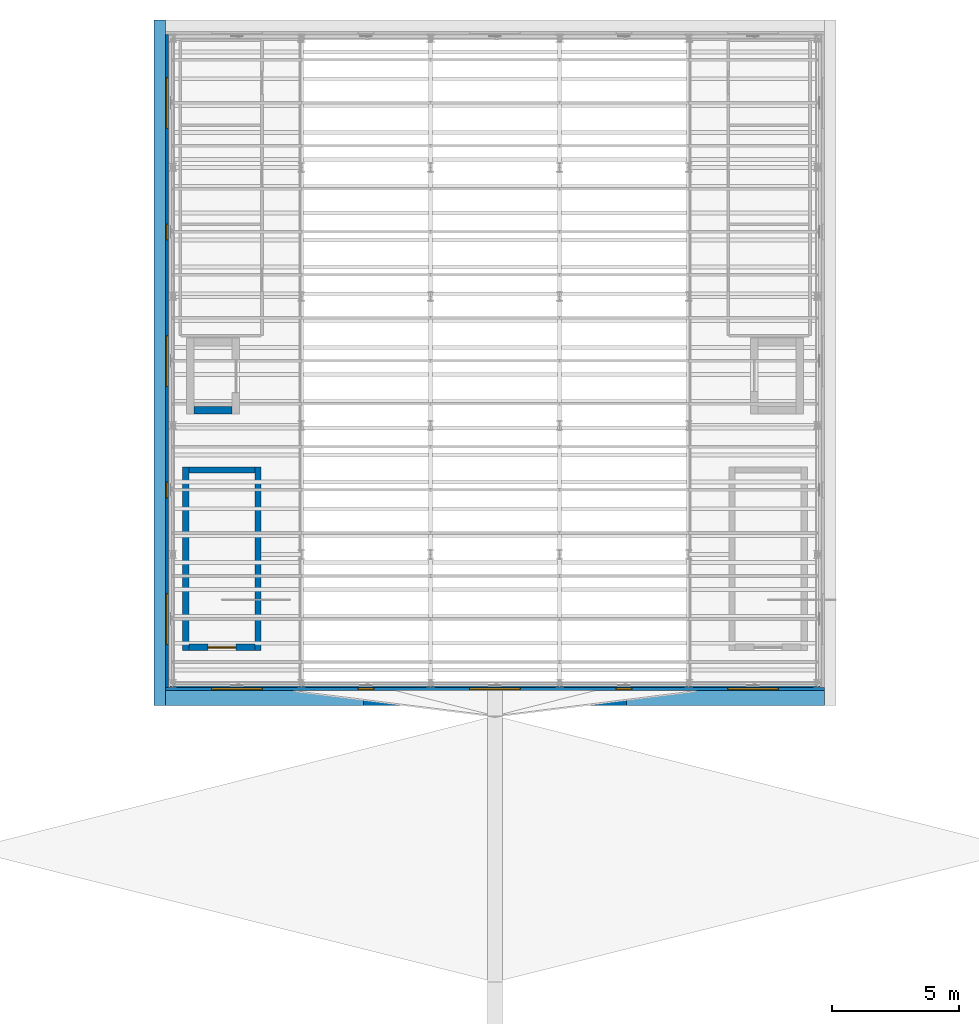
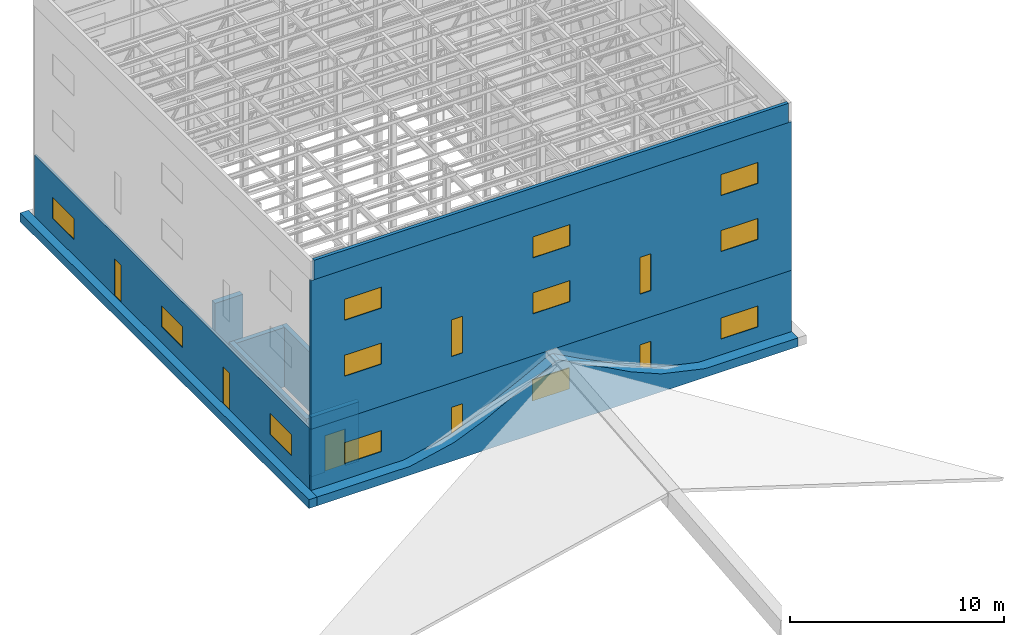
# One storey, part 18 of 22: 18 windows, 11 walls, 1 door, 19 openings.
"""IFC4 building model written with IfcOpenShell, lengths in metres."""

from ifc_helpers import new_model, si_unit, direction, frame, frame_2d, origin, place, context, subcontext, project, spatial, polyline, rectangle, outline, extrude, material, layer, layer_set, type_object, element, fill, save


model = new_model("IFC4")

# Units and contexts
model_context = context("Model", 3, precision=1e-05, world=origin(), true_north=direction((0.0, 1.0)))
body_context = subcontext(model_context, "Body", "Model", "MODEL_VIEW")
ifc_project = project(units=[si_unit("LENGTHUNIT", "METRE"), si_unit("AREAUNIT", "SQUARE_METRE"), si_unit("VOLUMEUNIT", "CUBIC_METRE"), si_unit("PLANEANGLEUNIT", "RADIAN"), si_unit("MASSUNIT", "GRAM", prefix="KILO")], contexts=[model_context])

# Site, building, storey
site_placement = place(None, origin())
site = spatial("IfcSite", under=ifc_project, at=site_placement, CompositionType="ELEMENT")
building_placement = place(site_placement, origin())
building = spatial("IfcBuilding", under=site, at=building_placement, Name="Tide Square Theatres", CompositionType="ELEMENT")
storey_placement = place(building_placement, frame((0.0, 0.0, 24.0)))
storey = spatial("IfcBuildingStorey", under=building, at=storey_placement, Name="L05", CompositionType="ELEMENT", Elevation=24.0)

# Wall, openings, windows
ifc_material_1 = material(Name="Insulated metal panel, galvanised steel faces ASTM A653 SS Grade 340", Category="steel")
ifc_layer_1 = layer(ifc_material_1, 0.1201171875)
ifc_layer_set_1 = layer_set([ifc_layer_1], Name="Insulated metal panel, galvanised steel faces ASTM A653 SS Grade 340")
wall_type_1 = type_object("IfcWallType", Name="Insulated cladding wall 120 thick", PredefinedType="STANDARD", material=ifc_layer_set_1)
wall_1_placement = place(storey_placement, frame((71.06005859375, 56.1201171875, 0.0), z_axis=(0.0, 0.0, 1.0), x_axis=(0.0, 1.0, 0.0)))
wall_1 = element("IfcWall", 1, at=wall_1_placement, inside=storey, type_object=wall_type_1, Name="Fly tower upper cladding wall", PredefinedType="STANDARD", context=body_context, shape_type="SweptSolid", body=[
    extrude(rectangle(XDim=25.759765625, YDim=0.1201171875, at=frame_2d((12.8798828125, 0.0))), origin(), (0.0, 0.0, 1.0), 4.0),
])
opening_1_placement = place(wall_1_placement, frame((1.70068359375, 0.0, 1.39990234375)))
opening_1 = element("IfcOpeningElement", 2, at=opening_1_placement, cuts=wall_1, Name="Opening WN-23", PredefinedType="OPENING", context=body_context, shape_type="SweptSolid", body=[
    extrude(rectangle(XDim=2.0, YDim=1.199951171875, at=frame_2d((1.0, 0.60009765625))), frame((0.0, 0.070068359375, 0.0), z_axis=(0.0, -1.0, 0.0), x_axis=(1.0, 0.0, 0.0)), (0.0, 0.0, 1.0), 0.14013671875),
])
opening_2_placement = place(wall_1_placement, frame((11.8798828125, 0.0, 1.39990234375)))
opening_2 = element("IfcOpeningElement", 3, at=opening_2_placement, cuts=wall_1, Name="Opening WN-23", PredefinedType="OPENING", context=body_context, shape_type="SweptSolid", body=[
    extrude(rectangle(XDim=2.0, YDim=1.199951171875, at=frame_2d((1.0, 0.60009765625))), frame((0.0, 0.070068359375, 0.0), z_axis=(0.0, -1.0, 0.0), x_axis=(1.0, 0.0, 0.0)), (0.0, 0.0, 1.0), 0.14013671875),
])
opening_3_placement = place(wall_1_placement, frame((22.05908203125, 0.0, 1.39990234375)))
opening_3 = element("IfcOpeningElement", 4, at=opening_3_placement, cuts=wall_1, Name="Opening WN-23", PredefinedType="OPENING", context=body_context, shape_type="SweptSolid", body=[
    extrude(rectangle(XDim=2.0, YDim=1.199951171875, at=frame_2d((1.0, 0.60009765625))), frame((0.0, 0.070068359375, 0.0), z_axis=(0.0, -1.0, 0.0), x_axis=(1.0, 0.0, 0.0)), (0.0, 0.0, 1.0), 0.14013671875),
])
opening_4_placement = place(wall_1_placement, frame((7.490478515625, 0.0, 0.5)))
opening_4 = element("IfcOpeningElement", 5, at=opening_4_placement, cuts=wall_1, Name="Opening WN-11", PredefinedType="OPENING", context=body_context, shape_type="SweptSolid", body=[
    extrude(rectangle(XDim=0.60009765625, YDim=2.10009765625, at=frame_2d((0.300048828125, 1.050048828125))), frame((0.0, 0.070068359375, 0.0), z_axis=(0.0, -1.0, 0.0), x_axis=(1.0, 0.0, 0.0)), (0.0, 0.0, 1.0), 0.14013671875),
])
opening_5_placement = place(wall_1_placement, frame((17.669677734375, 0.0, 0.5)))
opening_5 = element("IfcOpeningElement", 6, at=opening_5_placement, cuts=wall_1, Name="Opening WN-11", PredefinedType="OPENING", context=body_context, shape_type="SweptSolid", body=[
    extrude(rectangle(XDim=0.60009765625, YDim=2.10009765625, at=frame_2d((0.300048828125, 1.050048828125))), frame((0.0, 0.070068359375, 0.0), z_axis=(0.0, -1.0, 0.0), x_axis=(1.0, 0.0, 0.0)), (0.0, 0.0, 1.0), 0.14013671875),
])
ifc_material_2 = material(Name="Aluminium with laminated glass", Category="aluminium")
window_type_1 = type_object("IfcWindowType", Name="Window 2000 x 1200", PartitioningType="DOUBLE_PANEL_VERTICAL", PredefinedType="WINDOW", material=ifc_material_2)
window_1_placement = place(opening_1_placement, origin())
window_1 = element("IfcWindow", 7, at=window_1_placement, inside=storey, type_object=window_type_1, Name="Fly tower louvre", OverallHeight=1.199951171875, OverallWidth=2.0, PartitioningType="SINGLE_PANEL", PredefinedType="WINDOW", context=body_context, shape_type="SweptSolid", body=[
    extrude(rectangle(XDim=2.0, YDim=1.199951171875, at=frame_2d((1.0, 0.60009765625))), frame((0.0, 0.030029296875, 0.0), z_axis=(0.0, -1.0, 0.0), x_axis=(1.0, 0.0, 0.0)), (0.0, 0.0, 1.0), 0.06005859375),
])
fill(opening_1, window_1)
window_2_placement = place(opening_2_placement, origin())
window_2 = element("IfcWindow", 8, at=window_2_placement, inside=storey, type_object=window_type_1, Name="Fly tower louvre", OverallHeight=1.199951171875, OverallWidth=2.0, PartitioningType="SINGLE_PANEL", PredefinedType="WINDOW", context=body_context, shape_type="SweptSolid", body=[
    extrude(rectangle(XDim=2.0, YDim=1.199951171875, at=frame_2d((1.0, 0.60009765625))), frame((0.0, 0.030029296875, 0.0), z_axis=(0.0, -1.0, 0.0), x_axis=(1.0, 0.0, 0.0)), (0.0, 0.0, 1.0), 0.06005859375),
])
fill(opening_2, window_2)
window_3_placement = place(opening_3_placement, origin())
window_3 = element("IfcWindow", 9, at=window_3_placement, inside=storey, type_object=window_type_1, Name="Fly tower louvre", OverallHeight=1.199951171875, OverallWidth=2.0, PartitioningType="SINGLE_PANEL", PredefinedType="WINDOW", context=body_context, shape_type="SweptSolid", body=[
    extrude(rectangle(XDim=2.0, YDim=1.199951171875, at=frame_2d((1.0, 0.60009765625))), frame((0.0, 0.030029296875, 0.0), z_axis=(0.0, -1.0, 0.0), x_axis=(1.0, 0.0, 0.0)), (0.0, 0.0, 1.0), 0.06005859375),
])
fill(opening_3, window_3)
ifc_material_3 = material(Name="Aluminium with laminated glass", Category="aluminium")
window_type_2 = type_object("IfcWindowType", Name="Window 600 x 2100", PartitioningType="SINGLE_PANEL", PredefinedType="WINDOW", material=ifc_material_3)
window_4_placement = place(opening_4_placement, origin())
window_4 = element("IfcWindow", 10, at=window_4_placement, inside=storey, type_object=window_type_2, Name="Fly tower vent slot", OverallHeight=2.10009765625, OverallWidth=0.60009765625, PartitioningType="SINGLE_PANEL", PredefinedType="WINDOW", context=body_context, shape_type="SweptSolid", body=[
    extrude(rectangle(XDim=0.60009765625, YDim=2.10009765625, at=frame_2d((0.300048828125, 1.050048828125))), frame((0.0, 0.030029296875, 0.0), z_axis=(0.0, -1.0, 0.0), x_axis=(1.0, 0.0, 0.0)), (0.0, 0.0, 1.0), 0.06005859375),
])
fill(opening_4, window_4)
window_5_placement = place(opening_5_placement, origin())
window_5 = element("IfcWindow", 11, at=window_5_placement, inside=storey, type_object=window_type_2, Name="Fly tower vent slot", OverallHeight=2.10009765625, OverallWidth=0.60009765625, PartitioningType="SINGLE_PANEL", PredefinedType="WINDOW", context=body_context, shape_type="SweptSolid", body=[
    extrude(rectangle(XDim=0.60009765625, YDim=2.10009765625, at=frame_2d((0.300048828125, 1.050048828125))), frame((0.0, 0.030029296875, 0.0), z_axis=(0.0, -1.0, 0.0), x_axis=(1.0, 0.0, 0.0)), (0.0, 0.0, 1.0), 0.06005859375),
])
fill(opening_5, window_5)

wall_2_placement = place(storey_placement, frame((71.0, 56.06005859375, 0.0), z_axis=(0.0, 0.0, 1.0), x_axis=(1.0, 0.0, 0.0)))
wall_2 = element("IfcWall", 12, at=wall_2_placement, inside=storey, type_object=wall_type_1, Name="Fly tower upper cladding wall", PredefinedType="STANDARD", context=body_context, shape_type="SweptSolid", body=[
    extrude(rectangle(XDim=26.0, YDim=0.1201171875, at=frame_2d((13.0, 0.0))), origin(), (0.0, 0.0, 1.0), 4.0),
])
opening_6_placement = place(wall_2_placement, frame((1.82080078125, 0.0, 1.39990234375)))
opening_6 = element("IfcOpeningElement", 13, at=opening_6_placement, cuts=wall_2, Name="Opening WN-23", PredefinedType="OPENING", context=body_context, shape_type="SweptSolid", body=[
    extrude(rectangle(XDim=2.0, YDim=1.199951171875, at=frame_2d((1.0, 0.60009765625))), frame((0.0, 0.070068359375, 0.0), z_axis=(0.0, -1.0, 0.0), x_axis=(1.0, 0.0, 0.0)), (0.0, 0.0, 1.0), 0.14013671875),
])
opening_7_placement = place(wall_2_placement, frame((12.0, 0.0, 1.39990234375)))
opening_7 = element("IfcOpeningElement", 14, at=opening_7_placement, cuts=wall_2, Name="Opening WN-23", PredefinedType="OPENING", context=body_context, shape_type="SweptSolid", body=[
    extrude(rectangle(XDim=2.0, YDim=1.199951171875, at=frame_2d((1.0, 0.60009765625))), frame((0.0, 0.070068359375, 0.0), z_axis=(0.0, -1.0, 0.0), x_axis=(1.0, 0.0, 0.0)), (0.0, 0.0, 1.0), 0.14013671875),
])
opening_8_placement = place(wall_2_placement, frame((22.17919921875, 0.0, 1.39990234375)))
opening_8 = element("IfcOpeningElement", 15, at=opening_8_placement, cuts=wall_2, Name="Opening WN-23", PredefinedType="OPENING", context=body_context, shape_type="SweptSolid", body=[
    extrude(rectangle(XDim=2.0, YDim=1.199951171875, at=frame_2d((1.0, 0.60009765625))), frame((0.0, 0.070068359375, 0.0), z_axis=(0.0, -1.0, 0.0), x_axis=(1.0, 0.0, 0.0)), (0.0, 0.0, 1.0), 0.14013671875),
])
opening_9_placement = place(wall_2_placement, frame((7.6103515625, 0.0, 0.5)))
opening_9 = element("IfcOpeningElement", 16, at=opening_9_placement, cuts=wall_2, Name="Opening WN-11", PredefinedType="OPENING", context=body_context, shape_type="SweptSolid", body=[
    extrude(rectangle(XDim=0.60009765625, YDim=2.10009765625, at=frame_2d((0.300048828125, 1.050048828125))), frame((0.0, 0.070068359375, 0.0), z_axis=(0.0, -1.0, 0.0), x_axis=(1.0, 0.0, 0.0)), (0.0, 0.0, 1.0), 0.14013671875),
])
opening_10_placement = place(wall_2_placement, frame((17.78955078125, 0.0, 0.5)))
opening_10 = element("IfcOpeningElement", 17, at=opening_10_placement, cuts=wall_2, Name="Opening WN-11", PredefinedType="OPENING", context=body_context, shape_type="SweptSolid", body=[
    extrude(rectangle(XDim=0.60009765625, YDim=2.10009765625, at=frame_2d((0.300048828125, 1.050048828125))), frame((0.0, 0.070068359375, 0.0), z_axis=(0.0, -1.0, 0.0), x_axis=(1.0, 0.0, 0.0)), (0.0, 0.0, 1.0), 0.14013671875),
])
window_6_placement = place(opening_6_placement, origin())
window_6 = element("IfcWindow", 18, at=window_6_placement, inside=storey, type_object=window_type_1, Name="Fly tower louvre", OverallHeight=1.199951171875, OverallWidth=2.0, PartitioningType="SINGLE_PANEL", PredefinedType="WINDOW", context=body_context, shape_type="SweptSolid", body=[
    extrude(rectangle(XDim=2.0, YDim=1.199951171875, at=frame_2d((1.0, 0.60009765625))), frame((0.0, 0.030029296875, 0.0), z_axis=(0.0, -1.0, 0.0), x_axis=(1.0, 0.0, 0.0)), (0.0, 0.0, 1.0), 0.06005859375),
])
fill(opening_6, window_6)
window_7_placement = place(opening_7_placement, origin())
window_7 = element("IfcWindow", 19, at=window_7_placement, inside=storey, type_object=window_type_1, Name="Fly tower louvre", OverallHeight=1.199951171875, OverallWidth=2.0, PartitioningType="SINGLE_PANEL", PredefinedType="WINDOW", context=body_context, shape_type="SweptSolid", body=[
    extrude(rectangle(XDim=2.0, YDim=1.199951171875, at=frame_2d((1.0, 0.60009765625))), frame((0.0, 0.030029296875, 0.0), z_axis=(0.0, -1.0, 0.0), x_axis=(1.0, 0.0, 0.0)), (0.0, 0.0, 1.0), 0.06005859375),
])
fill(opening_7, window_7)
window_8_placement = place(opening_8_placement, origin())
window_8 = element("IfcWindow", 20, at=window_8_placement, inside=storey, type_object=window_type_1, Name="Fly tower louvre", OverallHeight=1.199951171875, OverallWidth=2.0, PartitioningType="SINGLE_PANEL", PredefinedType="WINDOW", context=body_context, shape_type="SweptSolid", body=[
    extrude(rectangle(XDim=2.0, YDim=1.199951171875, at=frame_2d((1.0, 0.60009765625))), frame((0.0, 0.030029296875, 0.0), z_axis=(0.0, -1.0, 0.0), x_axis=(1.0, 0.0, 0.0)), (0.0, 0.0, 1.0), 0.06005859375),
])
fill(opening_8, window_8)
window_9_placement = place(opening_9_placement, origin())
window_9 = element("IfcWindow", 21, at=window_9_placement, inside=storey, type_object=window_type_2, Name="Fly tower vent slot", OverallHeight=2.10009765625, OverallWidth=0.60009765625, PartitioningType="SINGLE_PANEL", PredefinedType="WINDOW", context=body_context, shape_type="SweptSolid", body=[
    extrude(rectangle(XDim=0.60009765625, YDim=2.10009765625, at=frame_2d((0.300048828125, 1.050048828125))), frame((0.0, 0.030029296875, 0.0), z_axis=(0.0, -1.0, 0.0), x_axis=(1.0, 0.0, 0.0)), (0.0, 0.0, 1.0), 0.06005859375),
])
fill(opening_9, window_9)
window_10_placement = place(opening_10_placement, origin())
window_10 = element("IfcWindow", 22, at=window_10_placement, inside=storey, type_object=window_type_2, Name="Fly tower vent slot", OverallHeight=2.10009765625, OverallWidth=0.60009765625, PartitioningType="SINGLE_PANEL", PredefinedType="WINDOW", context=body_context, shape_type="SweptSolid", body=[
    extrude(rectangle(XDim=0.60009765625, YDim=2.10009765625, at=frame_2d((0.300048828125, 1.050048828125))), frame((0.0, 0.030029296875, 0.0), z_axis=(0.0, -1.0, 0.0), x_axis=(1.0, 0.0, 0.0)), (0.0, 0.0, 1.0), 0.06005859375),
])
fill(opening_10, window_10)

wall_3_placement = place(storey_placement, frame((71.0, 56.06005859375, 4.0), z_axis=(0.0, 0.0, 1.0), x_axis=(1.0, 0.0, 0.0)))
wall_3 = element("IfcWall", 23, at=wall_3_placement, inside=storey, type_object=wall_type_1, Name="Fly tower crown cladding wall", PredefinedType="STANDARD", context=body_context, shape_type="SweptSolid", body=[
    extrude(rectangle(XDim=26.0, YDim=0.1201171875, at=frame_2d((13.0, 0.0))), origin(), (0.0, 0.0, 1.0), 8.5),
])
opening_11_placement = place(wall_3_placement, frame((1.82080078125, 0.0, 2.39990234375)))
opening_11 = element("IfcOpeningElement", 24, at=opening_11_placement, cuts=wall_3, Name="Opening WN-23", PredefinedType="OPENING", context=body_context, shape_type="SweptSolid", body=[
    extrude(rectangle(XDim=2.0, YDim=1.199951171875, at=frame_2d((1.0, 0.60009765625))), frame((0.0, 0.070068359375, 0.0), z_axis=(0.0, -1.0, 0.0), x_axis=(1.0, 0.0, 0.0)), (0.0, 0.0, 1.0), 0.14013671875),
])
opening_12_placement = place(wall_3_placement, frame((1.82080078125, 0.0, 5.60009765625)))
opening_12 = element("IfcOpeningElement", 25, at=opening_12_placement, cuts=wall_3, Name="Opening WN-23", PredefinedType="OPENING", context=body_context, shape_type="SweptSolid", body=[
    extrude(rectangle(XDim=2.0, YDim=1.199951171875, at=frame_2d((1.0, 0.60009765625))), frame((0.0, 0.070068359375, 0.0), z_axis=(0.0, -1.0, 0.0), x_axis=(1.0, 0.0, 0.0)), (0.0, 0.0, 1.0), 0.14013671875),
])
opening_13_placement = place(wall_3_placement, frame((12.0, 0.0, 2.39990234375)))
opening_13 = element("IfcOpeningElement", 26, at=opening_13_placement, cuts=wall_3, Name="Opening WN-23", PredefinedType="OPENING", context=body_context, shape_type="SweptSolid", body=[
    extrude(rectangle(XDim=2.0, YDim=1.199951171875, at=frame_2d((1.0, 0.60009765625))), frame((0.0, 0.070068359375, 0.0), z_axis=(0.0, -1.0, 0.0), x_axis=(1.0, 0.0, 0.0)), (0.0, 0.0, 1.0), 0.14013671875),
])
opening_14_placement = place(wall_3_placement, frame((12.0, 0.0, 5.60009765625)))
opening_14 = element("IfcOpeningElement", 27, at=opening_14_placement, cuts=wall_3, Name="Opening WN-23", PredefinedType="OPENING", context=body_context, shape_type="SweptSolid", body=[
    extrude(rectangle(XDim=2.0, YDim=1.199951171875, at=frame_2d((1.0, 0.60009765625))), frame((0.0, 0.070068359375, 0.0), z_axis=(0.0, -1.0, 0.0), x_axis=(1.0, 0.0, 0.0)), (0.0, 0.0, 1.0), 0.14013671875),
])
opening_15_placement = place(wall_3_placement, frame((22.17919921875, 0.0, 2.39990234375)))
opening_15 = element("IfcOpeningElement", 28, at=opening_15_placement, cuts=wall_3, Name="Opening WN-23", PredefinedType="OPENING", context=body_context, shape_type="SweptSolid", body=[
    extrude(rectangle(XDim=2.0, YDim=1.199951171875, at=frame_2d((1.0, 0.60009765625))), frame((0.0, 0.070068359375, 0.0), z_axis=(0.0, -1.0, 0.0), x_axis=(1.0, 0.0, 0.0)), (0.0, 0.0, 1.0), 0.14013671875),
])
opening_16_placement = place(wall_3_placement, frame((22.17919921875, 0.0, 5.60009765625)))
opening_16 = element("IfcOpeningElement", 29, at=opening_16_placement, cuts=wall_3, Name="Opening WN-23", PredefinedType="OPENING", context=body_context, shape_type="SweptSolid", body=[
    extrude(rectangle(XDim=2.0, YDim=1.199951171875, at=frame_2d((1.0, 0.60009765625))), frame((0.0, 0.070068359375, 0.0), z_axis=(0.0, -1.0, 0.0), x_axis=(1.0, 0.0, 0.0)), (0.0, 0.0, 1.0), 0.14013671875),
])
opening_17_placement = place(wall_3_placement, frame((7.6103515625, 0.0, 1.5)))
opening_17 = element("IfcOpeningElement", 30, at=opening_17_placement, cuts=wall_3, Name="Opening WN-11", PredefinedType="OPENING", context=body_context, shape_type="SweptSolid", body=[
    extrude(rectangle(XDim=0.60009765625, YDim=2.10009765625, at=frame_2d((0.300048828125, 1.050048828125))), frame((0.0, 0.070068359375, 0.0), z_axis=(0.0, -1.0, 0.0), x_axis=(1.0, 0.0, 0.0)), (0.0, 0.0, 1.0), 0.14013671875),
])
opening_18_placement = place(wall_3_placement, frame((17.78955078125, 0.0, 1.5)))
opening_18 = element("IfcOpeningElement", 31, at=opening_18_placement, cuts=wall_3, Name="Opening WN-11", PredefinedType="OPENING", context=body_context, shape_type="SweptSolid", body=[
    extrude(rectangle(XDim=0.60009765625, YDim=2.10009765625, at=frame_2d((0.300048828125, 1.050048828125))), frame((0.0, 0.070068359375, 0.0), z_axis=(0.0, -1.0, 0.0), x_axis=(1.0, 0.0, 0.0)), (0.0, 0.0, 1.0), 0.14013671875),
])
window_11_placement = place(opening_11_placement, origin())
window_11 = element("IfcWindow", 32, at=window_11_placement, inside=storey, type_object=window_type_1, Name="Fly tower louvre", OverallHeight=1.199951171875, OverallWidth=2.0, PartitioningType="SINGLE_PANEL", PredefinedType="WINDOW", context=body_context, shape_type="SweptSolid", body=[
    extrude(rectangle(XDim=2.0, YDim=1.199951171875, at=frame_2d((1.0, 0.60009765625))), frame((0.0, 0.030029296875, 0.0), z_axis=(0.0, -1.0, 0.0), x_axis=(1.0, 0.0, 0.0)), (0.0, 0.0, 1.0), 0.06005859375),
])
fill(opening_11, window_11)
window_12_placement = place(opening_12_placement, origin())
window_12 = element("IfcWindow", 33, at=window_12_placement, inside=storey, type_object=window_type_1, Name="Fly tower louvre", OverallHeight=1.199951171875, OverallWidth=2.0, PartitioningType="SINGLE_PANEL", PredefinedType="WINDOW", context=body_context, shape_type="SweptSolid", body=[
    extrude(rectangle(XDim=2.0, YDim=1.199951171875, at=frame_2d((1.0, 0.60009765625))), frame((0.0, 0.030029296875, 0.0), z_axis=(0.0, -1.0, 0.0), x_axis=(1.0, 0.0, 0.0)), (0.0, 0.0, 1.0), 0.06005859375),
])
fill(opening_12, window_12)
window_13_placement = place(opening_13_placement, origin())
window_13 = element("IfcWindow", 34, at=window_13_placement, inside=storey, type_object=window_type_1, Name="Fly tower louvre", OverallHeight=1.199951171875, OverallWidth=2.0, PartitioningType="SINGLE_PANEL", PredefinedType="WINDOW", context=body_context, shape_type="SweptSolid", body=[
    extrude(rectangle(XDim=2.0, YDim=1.199951171875, at=frame_2d((1.0, 0.60009765625))), frame((0.0, 0.030029296875, 0.0), z_axis=(0.0, -1.0, 0.0), x_axis=(1.0, 0.0, 0.0)), (0.0, 0.0, 1.0), 0.06005859375),
])
fill(opening_13, window_13)
window_14_placement = place(opening_14_placement, origin())
window_14 = element("IfcWindow", 35, at=window_14_placement, inside=storey, type_object=window_type_1, Name="Fly tower louvre", OverallHeight=1.199951171875, OverallWidth=2.0, PartitioningType="SINGLE_PANEL", PredefinedType="WINDOW", context=body_context, shape_type="SweptSolid", body=[
    extrude(rectangle(XDim=2.0, YDim=1.199951171875, at=frame_2d((1.0, 0.60009765625))), frame((0.0, 0.030029296875, 0.0), z_axis=(0.0, -1.0, 0.0), x_axis=(1.0, 0.0, 0.0)), (0.0, 0.0, 1.0), 0.06005859375),
])
fill(opening_14, window_14)
window_15_placement = place(opening_15_placement, origin())
window_15 = element("IfcWindow", 36, at=window_15_placement, inside=storey, type_object=window_type_1, Name="Fly tower louvre", OverallHeight=1.199951171875, OverallWidth=2.0, PartitioningType="SINGLE_PANEL", PredefinedType="WINDOW", context=body_context, shape_type="SweptSolid", body=[
    extrude(rectangle(XDim=2.0, YDim=1.199951171875, at=frame_2d((1.0, 0.60009765625))), frame((0.0, 0.030029296875, 0.0), z_axis=(0.0, -1.0, 0.0), x_axis=(1.0, 0.0, 0.0)), (0.0, 0.0, 1.0), 0.06005859375),
])
fill(opening_15, window_15)
window_16_placement = place(opening_16_placement, origin())
window_16 = element("IfcWindow", 37, at=window_16_placement, inside=storey, type_object=window_type_1, Name="Fly tower louvre", OverallHeight=1.199951171875, OverallWidth=2.0, PartitioningType="SINGLE_PANEL", PredefinedType="WINDOW", context=body_context, shape_type="SweptSolid", body=[
    extrude(rectangle(XDim=2.0, YDim=1.199951171875, at=frame_2d((1.0, 0.60009765625))), frame((0.0, 0.030029296875, 0.0), z_axis=(0.0, -1.0, 0.0), x_axis=(1.0, 0.0, 0.0)), (0.0, 0.0, 1.0), 0.06005859375),
])
fill(opening_16, window_16)
window_17_placement = place(opening_17_placement, origin())
window_17 = element("IfcWindow", 38, at=window_17_placement, inside=storey, type_object=window_type_2, Name="Fly tower vent slot", OverallHeight=2.10009765625, OverallWidth=0.60009765625, PartitioningType="SINGLE_PANEL", PredefinedType="WINDOW", context=body_context, shape_type="SweptSolid", body=[
    extrude(rectangle(XDim=0.60009765625, YDim=2.10009765625, at=frame_2d((0.300048828125, 1.050048828125))), frame((0.0, 0.030029296875, 0.0), z_axis=(0.0, -1.0, 0.0), x_axis=(1.0, 0.0, 0.0)), (0.0, 0.0, 1.0), 0.06005859375),
])
fill(opening_17, window_17)
window_18_placement = place(opening_18_placement, origin())
window_18 = element("IfcWindow", 39, at=window_18_placement, inside=storey, type_object=window_type_2, Name="Fly tower vent slot", OverallHeight=2.10009765625, OverallWidth=0.60009765625, PartitioningType="SINGLE_PANEL", PredefinedType="WINDOW", context=body_context, shape_type="SweptSolid", body=[
    extrude(rectangle(XDim=0.60009765625, YDim=2.10009765625, at=frame_2d((0.300048828125, 1.050048828125))), frame((0.0, 0.030029296875, 0.0), z_axis=(0.0, -1.0, 0.0), x_axis=(1.0, 0.0, 0.0)), (0.0, 0.0, 1.0), 0.06005859375),
])
fill(opening_18, window_18)

# Walls
ifc_material_4 = material(Name="Concrete C40", Category="concrete")
ifc_layer_2 = layer(ifc_material_4, 0.449951171875)
ifc_layer_set_2 = layer_set([ifc_layer_2], Name="Concrete C40")
wall_type_2 = type_object("IfcWallType", Name="RC curved wall 450 thick", PredefinedType="SOLIDWALL", material=ifc_layer_set_2)
wall_4_placement = place(storey_placement, frame((70.77490234375, 55.39990234375, 0.0), z_axis=(0.0, 0.0, 1.0), x_axis=(0.0, 1.0, 0.0)))
element("IfcWall", 40, at=wall_4_placement, inside=storey, type_object=wall_type_2, Name="Stage house wall", PredefinedType="SOLIDWALL", context=body_context, shape_type="SweptSolid", body=[
    extrude(outline(polyline([(0.0, 0.0), (27.050048828125, 0.0), (27.050048828125, 0.5), (25.75048828125, 0.5), (25.664306640625, 0.5), (25.578369140625, 0.5), (22.978271484375, 0.5), (22.89892578125, 0.5), (20.704345703125, 0.5), (20.50927734375, 0.5), (18.741943359375, 0.5), (18.677490234375, 0.5), (17.018310546875, 0.5), (16.956298828125, 0.5), (16.894287109375, 0.5), (13.935302734375, 0.5), (13.871337890625, 0.5), (13.80712890625, 0.5), (11.958251953125, 0.5), (11.896240234375, 0.5), (10.181396484375, 0.5), (10.025390625, 0.5), (8.45458984375, 0.5), (8.3974609375, 0.5), (6.844970703125, 0.5), (6.78857421875, 0.5), (6.732177734375, 0.5), (3.004150390625, 0.5), (2.947265625, 0.5), (2.890380859375, 0.5), (1.288330078125, 0.5), (1.23193359375, 0.5), (0.0, 0.5), (0.0, 0.0)])), frame((0.0, 0.22509765625, 0.0), z_axis=(0.0, -1.0, 0.0), x_axis=(1.0, 0.0, 0.0)), (0.0, 0.0, 1.0), 0.449951171875),
])
ifc_material_5 = material(Name="Concrete C40", Category="concrete")
ifc_layer_3 = layer(ifc_material_5, 0.179931640625)
ifc_layer_set_3 = layer_set([ifc_layer_3], Name="Concrete C40")
wall_type_3 = type_object("IfcWallType", Name="RC parapet 180 thick", PredefinedType="PARAPET", material=ifc_layer_set_3)
wall_5_placement = place(storey_placement, frame((71.179931640625, 56.090087890625, 12.5), z_axis=(0.0, 0.0, 1.0), x_axis=(1.0, 0.0, 0.0)))
element("IfcWall", 41, at=wall_5_placement, inside=storey, type_object=wall_type_3, Name="Fly tower parapet", PredefinedType="PARAPET", context=body_context, shape_type="SweptSolid", body=[
    extrude(rectangle(XDim=25.64013671875, YDim=0.179931640625, at=frame_2d((12.820068359375, 0.0))), origin(), (0.0, 0.0, 1.0), 1.10009765625),
])
ifc_material_6 = material(Name="Concrete C40", Category="concrete")
ifc_layer_4 = layer(ifc_material_6, 0.25)
ifc_layer_set_4 = layer_set([ifc_layer_4], Name="Concrete C40")
wall_type_4 = type_object("IfcWallType", Name="RC shear wall 250 thick", PredefinedType="SHEAR", material=ifc_layer_set_4)
for number, where, z_axis, x_axis, name in (
    (42, (74.65087890625, 57.575927734375, 0.0), (0.0, 0.0, 1.0), (0.0, 1.0, 0.0), "Fly Tower west stair shaft wall"),
    (43, (71.801025390625, 64.825927734375, 0.0), (0.0, 0.0, 1.0), (0.0, -1.0, 0.0), "Fly Tower west stair shaft wall"),
):
    element("IfcWall", number, at=place(storey_placement, frame(where, z_axis=z_axis, x_axis=x_axis)), inside=storey, type_object=wall_type_4, Name=name, PredefinedType="SHEAR", context=body_context, shape_type="SweptSolid", body=[
        extrude(rectangle(XDim=7.25, YDim=0.25, at=frame_2d((3.625, 0.0))), origin(), (0.0, 0.0, 1.0), 3.39990234375),
    ])
wall_6_placement = place(storey_placement, frame((71.926025390625, 64.700927734375, 0.0), z_axis=(0.0, 0.0, 1.0), x_axis=(1.0, 0.0, 0.0)))
element("IfcWall", 44, at=wall_6_placement, inside=storey, type_object=wall_type_4, Name="Fly Tower west stair shaft wall", PredefinedType="SHEAR", context=body_context, shape_type="SweptSolid", body=[
    extrude(rectangle(XDim=2.599853515625, YDim=0.25, at=frame_2d((1.2998046875, 0.0))), origin(), (0.0, 0.0, 1.0), 3.39990234375),
])

# Wall, opening, door
wall_7_placement = place(storey_placement, frame((74.52587890625, 57.700927734375, 0.0), z_axis=(0.0, 0.0, 1.0), x_axis=(-1.0, 0.0, 0.0)))
wall_7 = element("IfcWall", 45, at=wall_7_placement, inside=storey, type_object=wall_type_4, Name="Fly Tower west stair shaft wall", PredefinedType="SHEAR", context=body_context, shape_type="SweptSolid", body=[
    extrude(rectangle(XDim=2.599853515625, YDim=0.25, at=frame_2d((1.2998046875, 0.0))), origin(), (0.0, 0.0, 1.0), 3.39990234375),
])
opening_19_placement = place(wall_7_placement, frame((0.75, 0.0, 0.0)))
opening_19 = element("IfcOpeningElement", 46, at=opening_19_placement, cuts=wall_7, Name="Opening T05-01", PredefinedType="OPENING", context=body_context, shape_type="SweptSolid", body=[
    extrude(rectangle(XDim=1.10009765625, YDim=2.10009765625, at=frame_2d((0.550048828125, 1.050048828125))), frame((0.0, 0.135009765625, 0.0), z_axis=(0.0, -1.0, 0.0), x_axis=(1.0, 0.0, 0.0)), (0.0, 0.0, 1.0), 0.27001953125),
])
ifc_material_7 = material(Name="Painted steel", Category="steel")
door_type = type_object("IfcDoorType", Name="Door 1100 x 2100 single leaf", OperationType="NOTDEFINED", PredefinedType="DOOR", material=ifc_material_7)
door_placement = place(opening_19_placement, origin())
door = element("IfcDoor", 47, at=door_placement, inside=storey, type_object=door_type, Name="Fly Tower west stair stair door", OperationType="SINGLE_SWING_RIGHT", OverallHeight=2.10009765625, OverallWidth=1.10009765625, PredefinedType="DOOR", context=body_context, shape_type="SweptSolid", body=[
    extrude(rectangle(XDim=1.10009765625, YDim=2.10009765625, at=frame_2d((0.550048828125, 1.050048828125))), frame((0.0, 0.02490234375, 0.0), z_axis=(0.0, -1.0, 0.0), x_axis=(1.0, 0.0, 0.0)), (0.0, 0.0, 1.0), 0.050048828125),
])
fill(opening_19, door)

# Walls
ifc_material_8 = material(Name="Concrete C40", Category="concrete")
ifc_layer_5 = layer(ifc_material_8, 0.300048828125)
ifc_layer_set_5 = layer_set([ifc_layer_5], Name="Concrete C40")
wall_type_5 = type_object("IfcWallType", Name="RC shear wall 300 thick", PredefinedType="SHEAR", material=ifc_layer_set_5)
wall_8_placement = place(storey_placement, frame((72.1259765625, 67.050048828125, 0.0), z_axis=(0.0, 0.0, 1.0), x_axis=(1.0, 0.0, 0.0)))
element("IfcWall", 48, at=wall_8_placement, inside=storey, type_object=wall_type_5, Name="Fly Tower lift 11 shaft wall", PredefinedType="SHEAR", context=body_context, shape_type="SweptSolid", body=[
    extrude(rectangle(XDim=1.5, YDim=0.300048828125, at=frame_2d((0.75, 0.0))), origin(), (0.0, 0.0, 1.0), 4.199951171875),
])
ifc_material_9 = material(Name="Concrete C40", Category="concrete")
ifc_layer_6 = layer(ifc_material_9, 0.60009765625)
ifc_layer_set_6 = layer_set([ifc_layer_6], Name="Concrete C40")
wall_type_6 = type_object("IfcWallType", Name="RC shear wall 600 thick", PredefinedType="SHEAR", material=ifc_layer_set_6)
wall_9_placement = place(storey_placement, frame((71.0, 55.699951171875, 0.0), z_axis=(0.0, 0.0, 1.0), x_axis=(1.0, 0.0, 0.0)))
element("IfcWall", 49, at=wall_9_placement, inside=storey, type_object=wall_type_6, Name="Proscenium wall", PredefinedType="SHEAR", context=body_context, shape_type="SweptSolid", body=[
    extrude(outline(polyline([(0.0, 0.0), (26.0, 0.0), (26.0, 0.5), (20.96630859375, 0.5), (18.576416015625, 1.035400390625), (16.950927734375, 1.72509765625), (16.1865234375, 2.1396484375), (15.765625, 2.36767578125), (14.580322265625, 2.953125), (13.099609375, 3.755615234375), (12.900390625, 3.755615234375), (11.419677734375, 2.953125), (10.234375, 2.36767578125), (9.8134765625, 2.1396484375), (9.049072265625, 1.72509765625), (7.423583984375, 1.035400390625), (5.03369140625, 0.5), (0.0, 0.5), (0.0, 0.0)])), frame((0.0, 0.300048828125, 0.0), z_axis=(0.0, -1.0, 0.0), x_axis=(1.0, 0.0, 0.0)), (0.0, 0.0, 1.0), 0.60009765625),
])

save(model, "model.ifc")
